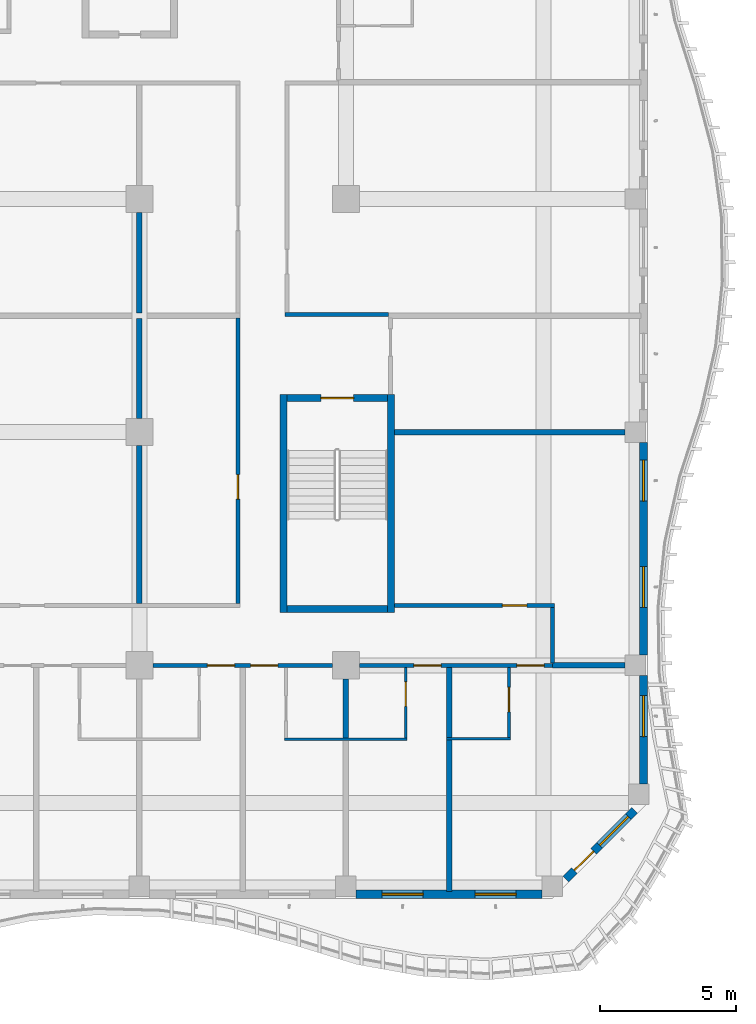
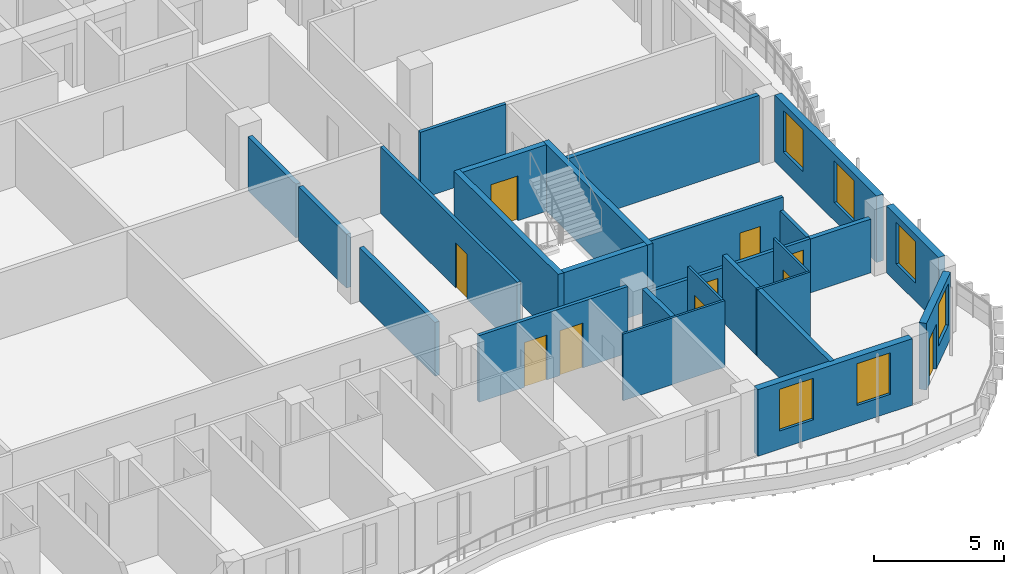
# One storey, part 5 of 22: 26 walls, 10 doors, 6 windows, 16 openings.
"""IFC4 building model written with IfcOpenShell, lengths in metres."""

import ifcopenshell
import ifcopenshell.guid

model = None  # the IFC model being written
_history = None  # IfcOwnerHistory: only IFC2X3 demands one
_inside = {}  # id of a spatial element -> (the spatial element, [elements in it])
_under = {}  # id of a project, library or spatial element -> (it, [spatial elements below it])
_declared = {}  # id of a project -> (the project, [libraries it declares])
_typed = {}  # id of a type object -> (the type object, [elements of that type])
_made_of = {}  # id of a material, layer set ... -> (it, [elements and type objects made of it])


def new_model(schema):
    """Start an empty IFC model of exactly this schema.

    Asked for "IFC4X3", IfcOpenShell would pick the latest addendum, in which some entities
    have other attributes; the version numbers below select the first issue.
    IFC2X3 requires an IfcOwnerHistory on every rooted entity: one is made here for all.
    """
    global model, _history
    if schema == "IFC4X3":
        model = ifcopenshell.file(schema_version=(4, 3, 0, 0))
    else:
        model = ifcopenshell.file(schema=schema)
    _inside.clear()
    _under.clear()
    _declared.clear()
    _typed.clear()
    _made_of.clear()
    _history = None
    if model.schema == "IFC2X3":
        org = make("IfcOrganization", Name="unknown")
        user = make(
            "IfcPersonAndOrganization",
            ThePerson=make("IfcPerson", FamilyName="unknown"),
            TheOrganization=org,
        )
        app = make(
            "IfcApplication",
            ApplicationDeveloper=org,
            Version="unknown",
            ApplicationFullName="unknown",
            ApplicationIdentifier="unknown",
        )
        _history = make(
            "IfcOwnerHistory",
            OwningUser=user,
            OwningApplication=app,
            ChangeAction="ADDED",
            CreationDate=0,
        )
    return model


def make(cls, **values):
    """One entity of the class cls with the attributes given. An attribute that is None is left unset."""
    return model.create_entity(
        cls, **{name: value for name, value in values.items() if value is not None}
    )


def rooted(cls, **values):
    """An entity with a GlobalId (a new one), such as an element, a storey or a relation."""
    return make(cls, GlobalId=ifcopenshell.guid.new(), OwnerHistory=_history, **values)


def si_unit(unit_type, name, prefix=None):
    """IfcSIUnit, for example si_unit("LENGTHUNIT", "METRE", prefix="MILLI")."""
    return make("IfcSIUnit", UnitType=unit_type, Prefix=prefix, Name=name)


def assignment(units):
    """IfcUnitAssignment: the units of a project."""
    return None if units is None else make("IfcUnitAssignment", Units=units)


def point(xyz):
    """IfcCartesianPoint."""
    return None if xyz is None else make("IfcCartesianPoint", Coordinates=xyz)


def direction(xyz):
    """IfcDirection."""
    return None if xyz is None else make("IfcDirection", DirectionRatios=xyz)


def frame(location, z_axis=None, x_axis=None):
    """IfcAxis2Placement3D, a coordinate frame: its origin and axes. An axis left out is left unset."""
    return make(
        "IfcAxis2Placement3D",
        Location=point(location),
        Axis=direction(z_axis),
        RefDirection=direction(x_axis),
    )


def frame_2d(location, x_axis=None):
    """IfcAxis2Placement2D, a coordinate frame in the plane: its origin and x axis."""
    return make(
        "IfcAxis2Placement2D", Location=point(location), RefDirection=direction(x_axis)
    )


def origin():
    """The frame at (0, 0, 0) with its axes left unset."""
    return frame((0.0, 0.0, 0.0))


def place(relative_to, where):
    """IfcLocalPlacement: puts the frame where relative to a parent placement (None: the world)."""
    return make(
        "IfcLocalPlacement", PlacementRelTo=relative_to, RelativePlacement=where
    )


def context(
    kind, dimensions, precision=None, world=None, true_north=None, identifier=None
):
    """IfcGeometricRepresentationContext, for example the 3D "Model" context."""
    return make(
        "IfcGeometricRepresentationContext",
        ContextIdentifier=identifier,
        ContextType=kind,
        CoordinateSpaceDimension=dimensions,
        Precision=precision,
        WorldCoordinateSystem=world,
        TrueNorth=true_north,
    )


def subcontext(parent, identifier, kind, view, scale=None):
    """IfcGeometricRepresentationSubContext, for example "Body" below "Model"."""
    return make(
        "IfcGeometricRepresentationSubContext",
        ContextIdentifier=identifier,
        ContextType=kind,
        ParentContext=parent,
        TargetScale=scale,
        TargetView=view,
    )


def project(units=None, contexts=None):
    """IfcProject with its units and contexts."""
    return rooted(
        "IfcProject",
        Name="project",
        RepresentationContexts=contexts,
        UnitsInContext=assignment(units),
    )


def spatial(cls, under=None, at=None, **own):
    """A site, building, storey or space (cls), placed at a placement, below another one or the project."""
    s = rooted(cls, ObjectPlacement=at, **own)
    if under is not None:
        _under.setdefault(under.id(), (under, []))[1].append(s)
    return s


def profile(cls, at=None, kind="AREA", **sizes):
    """A parametric profile (cls). Its sizes go by their IFC names, for example OverallWidth=200.0."""
    return make(cls, ProfileType=kind, Position=at, **sizes)


def rectangle(**sizes):
    """IfcRectangleProfileDef."""
    return profile("IfcRectangleProfileDef", **sizes)


def extrude(swept, where, along, depth):
    """IfcExtrudedAreaSolid: the profile swept, set in the frame where, extruded along a direction by depth."""
    return make(
        "IfcExtrudedAreaSolid",
        SweptArea=swept,
        Position=where,
        ExtrudedDirection=direction(along),
        Depth=depth,
    )


def shape(context_of_items, identifier, shape_type, items):
    """IfcShapeRepresentation: the items that make up one representation, for example the "Body"."""
    return make(
        "IfcShapeRepresentation",
        ContextOfItems=context_of_items,
        RepresentationIdentifier=identifier,
        RepresentationType=shape_type,
        Items=items,
    )


def source(mapping_origin, context_of_items, identifier, shape_type, items):
    """IfcRepresentationMap: a shape defined once, which mapped items show again and again."""
    return make(
        "IfcRepresentationMap",
        MappingOrigin=mapping_origin,
        MappedRepresentation=shape(context_of_items, identifier, shape_type, items),
    )


def transform(
    local_origin,
    x_axis=None,
    y_axis=None,
    z_axis=None,
    scale=None,
    scale2=None,
    scale3=None,
    uniform=True,
):
    """IfcCartesianTransformationOperator3D, or its non-uniform kind. x_axis, y_axis, z_axis: its Axis1, 2, 3."""
    if uniform:
        return make(
            "IfcCartesianTransformationOperator3D",
            Axis1=direction(x_axis),
            Axis2=direction(y_axis),
            LocalOrigin=point(local_origin),
            Scale=scale,
            Axis3=direction(z_axis),
        )
    return make(
        "IfcCartesianTransformationOperator3DnonUniform",
        Axis1=direction(x_axis),
        Axis2=direction(y_axis),
        LocalOrigin=point(local_origin),
        Scale=scale,
        Axis3=direction(z_axis),
        Scale2=scale2,
        Scale3=scale3,
    )


def mapped(mapping_source, mapping_target):
    """IfcMappedItem: shows the shape of a source again, moved by a transform."""
    return make(
        "IfcMappedItem", MappingSource=mapping_source, MappingTarget=mapping_target
    )


def material(Name=None, Category=None):
    """IfcMaterial."""
    return make("IfcMaterial", Name=Name, Category=Category)


def layer(
    of_material, thickness, ventilated=None, Name=None, Category=None, Priority=None
):
    """IfcMaterialLayer: one layer of a wall or slab, of a material (None: an air gap)."""
    return make(
        "IfcMaterialLayer",
        Material=of_material,
        LayerThickness=thickness,
        IsVentilated=ventilated,
        Name=Name,
        Category=Category,
        Priority=Priority,
    )


def layer_set(layers, Name=None):
    """IfcMaterialLayerSet."""
    return make("IfcMaterialLayerSet", MaterialLayers=layers, LayerSetName=Name)


def made_of(thing, what):
    """Note that an element or type object is made of a material, layer set ...; save() writes the relation."""
    if what is not None:
        _made_of.setdefault(what.id(), (what, []))[1].append(thing)
    return thing


def type_object(cls, material=None, **own):
    """A type object (cls), such as IfcWallType, which elements share."""
    return made_of(rooted(cls, **own), material)


def element(
    cls,
    number,
    at=None,
    inside=None,
    cuts=None,
    type_object=None,
    material=None,
    context=None,
    identifier="Body",
    shape_type=None,
    held_by="IfcProductDefinitionShape",
    body=None,
    shapes=None,
    **own,
):
    """One element of the class cls, such as IfcWall. Its Tag is "e" and its number.

    at: its placement. inside: the storey or other place that contains it. cuts: it is an
    opening in that element (IfcRelVoidsElement). A single representation is given by context,
    identifier, shape_type and body (its items); several are given by shapes. held_by: the class
    of the entity that holds the representations. save() writes the other relations.
    """
    e = rooted(cls, Tag="e%d" % number, ObjectPlacement=at, **own)
    if body is not None:
        shapes = [shape(context, identifier, shape_type, body)]
    if shapes is not None:
        e.Representation = make(held_by, Representations=shapes)
    if inside is not None:
        _inside.setdefault(inside.id(), (inside, []))[1].append(e)
    if cuts is not None:
        rooted(
            "IfcRelVoidsElement", RelatingBuildingElement=cuts, RelatedOpeningElement=e
        )
    if type_object is not None:
        _typed.setdefault(type_object.id(), (type_object, []))[1].append(e)
    return made_of(e, material)


def fill(opening, filler):
    """IfcRelFillsElement: the door or window that sits in an opening."""
    return rooted(
        "IfcRelFillsElement",
        RelatingOpeningElement=opening,
        RelatedBuildingElement=filler,
    )


def aggregate(whole, parts):
    """IfcRelAggregates: a whole, such as a stair, and the parts it consists of."""
    return rooted("IfcRelAggregates", RelatingObject=whole, RelatedObjects=parts)


def save(model, path):
    """Write the relations noted so far, then the file.

    IfcRelAggregates (storeys below a building ...), IfcRelContainedInSpatialStructure (elements
    in a storey), IfcRelDefinesByType, IfcRelAssociatesMaterial and IfcRelDeclares: one each for
    every whole, place, type object, material and project.
    """
    for whole, parts in _under.values():
        aggregate(whole, parts)
    for where, things in _inside.values():
        rooted(
            "IfcRelContainedInSpatialStructure",
            RelatedElements=things,
            RelatingStructure=where,
        )
    for kind, things in _typed.values():
        rooted("IfcRelDefinesByType", RelatedObjects=things, RelatingType=kind)
    for what, things in _made_of.values():
        rooted("IfcRelAssociatesMaterial", RelatedObjects=things, RelatingMaterial=what)
    for by, libraries in _declared.values():
        rooted("IfcRelDeclares", RelatingContext=by, RelatedDefinitions=libraries)
    model.write(path)


model = new_model("IFC4")

# Units and contexts
model_context = context("Model", 3, precision=1e-05, world=origin(), true_north=direction((0.0, 1.0)))
body_context = subcontext(model_context, "Body", "Model", "MODEL_VIEW")
ifc_project = project(units=[si_unit("LENGTHUNIT", "METRE"), si_unit("AREAUNIT", "SQUARE_METRE"), si_unit("VOLUMEUNIT", "CUBIC_METRE"), si_unit("PLANEANGLEUNIT", "RADIAN"), si_unit("MASSUNIT", "GRAM", prefix="KILO")], contexts=[model_context])

# Site, building, storey
site_placement = place(None, origin())
site = spatial("IfcSite", under=ifc_project, at=site_placement, CompositionType="ELEMENT")
building_placement = place(site_placement, origin())
building = spatial("IfcBuilding", under=site, at=building_placement, Name="Kilnfold Tower and Market Hall", CompositionType="ELEMENT")
storey_placement = place(building_placement, frame((0.0, 0.0, 206.699951171875)))
storey = spatial("IfcBuildingStorey", under=building, at=storey_placement, Name="L50", CompositionType="ELEMENT", Elevation=206.699951171875)

# Wall, openings, doors
ifc_material_1 = material(Name="Gypsum board on steel studs", Category="steel")
ifc_layer_1 = layer(ifc_material_1, 0.14990234375)
ifc_layer_set_1 = layer_set([ifc_layer_1], Name="Gypsum board on steel studs")
wall_type_1 = type_object("IfcWallType", Name="WALL CORRIDOR 150", PredefinedType="PARTITIONING", material=ifc_layer_set_1)
wall_1_placement = place(storey_placement, frame((13.0830078125, -17.699951171875, 0.0), z_axis=(0.0, 0.0, 1.0), x_axis=(1.0, 0.0, 0.0)))
wall_1 = element("IfcWall", 1, at=wall_1_placement, inside=storey, type_object=wall_type_1, Name="Partition LY30.5", PredefinedType="PARTITIONING", context=body_context, shape_type="SweptSolid", body=[
    extrude(rectangle(XDim=6.583984375, YDim=0.14990234375, at=frame_2d((3.2919921875, 0.0))), origin(), (0.0, 0.0, 1.0), 3.1201171875),
])
opening_1_placement = place(wall_1_placement, frame((1.99609375, 0.0, 0.0)))
opening_1 = element("IfcOpeningElement", 2, at=opening_1_placement, cuts=wall_1, Name="Opening D1", PredefinedType="OPENING", context=body_context, shape_type="SweptSolid", body=[
    extrude(rectangle(XDim=1.0, YDim=2.10009765625, at=frame_2d((0.5, 1.050048828125))), frame((0.0, 0.0849609375, 0.0), z_axis=(0.0, -1.0, 0.0), x_axis=(1.0, 0.0, 0.0)), (0.0, 0.0, 1.0), 0.169921875),
])
opening_2_placement = place(wall_1_placement, frame((3.587890625, 0.0, 0.0)))
opening_2 = element("IfcOpeningElement", 3, at=opening_2_placement, cuts=wall_1, Name="Opening D1", PredefinedType="OPENING", context=body_context, shape_type="SweptSolid", body=[
    extrude(rectangle(XDim=1.0, YDim=2.10009765625, at=frame_2d((0.5, 1.050048828125))), frame((0.0, 0.0849609375, 0.0), z_axis=(0.0, -1.0, 0.0), x_axis=(1.0, 0.0, 0.0)), (0.0, 0.0, 1.0), 0.169921875),
])
ifc_material_2 = material(Name="Timber veneer door leaf in steel frame", Category="steel")
door_type_1 = type_object("IfcDoorType", Name="DOOR ENTRY 1000 X2100", OperationType="NOTDEFINED", PredefinedType="DOOR", material=ifc_material_2)
door_1_placement = place(opening_1_placement, origin())
door_1 = element("IfcDoor", 4, at=door_1_placement, inside=storey, type_object=door_type_1, Name="Door D1", OperationType="SINGLE_SWING_RIGHT", OverallHeight=2.10009765625, OverallWidth=1.0, PredefinedType="DOOR", context=body_context, shape_type="SweptSolid", body=[
    extrude(rectangle(XDim=1.0, YDim=2.10009765625, at=frame_2d((0.5, 1.050048828125))), frame((0.0, 0.02490234375, 0.0), z_axis=(0.0, -1.0, 0.0), x_axis=(1.0, 0.0, 0.0)), (0.0, 0.0, 1.0), 0.050048828125),
])
fill(opening_1, door_1)
door_2_placement = place(opening_2_placement, origin())
door_2 = element("IfcDoor", 5, at=door_2_placement, inside=storey, type_object=door_type_1, Name="Door D1", OperationType="SINGLE_SWING_RIGHT", OverallHeight=2.10009765625, OverallWidth=1.0, PredefinedType="DOOR", context=body_context, shape_type="SweptSolid", body=[
    extrude(rectangle(XDim=1.0, YDim=2.10009765625, at=frame_2d((0.5, 1.050048828125))), frame((0.0, 0.02490234375, 0.0), z_axis=(0.0, -1.0, 0.0), x_axis=(1.0, 0.0, 0.0)), (0.0, 0.0, 1.0), 0.050048828125),
])
fill(opening_2, door_2)

wall_2_placement = place(storey_placement, frame((20.6669921875, -17.699951171875, 0.0), z_axis=(0.0, 0.0, 1.0), x_axis=(1.0, 0.0, 0.0)))
wall_2 = element("IfcWall", 6, at=wall_2_placement, inside=storey, type_object=wall_type_1, Name="Partition LY30.6", PredefinedType="PARTITIONING", context=body_context, shape_type="SweptSolid", body=[
    extrude(rectangle(XDim=7.0830078125, YDim=0.14990234375, at=frame_2d((3.54150390625, 0.0))), origin(), (0.0, 0.0, 1.0), 2.52001953125),
])
opening_3_placement = place(wall_2_placement, frame((1.99609375, 0.0, 0.0)))
opening_3 = element("IfcOpeningElement", 7, at=opening_3_placement, cuts=wall_2, Name="Opening D1", PredefinedType="OPENING", context=body_context, shape_type="SweptSolid", body=[
    extrude(rectangle(XDim=1.0, YDim=2.10009765625, at=frame_2d((0.5, 1.050048828125))), frame((0.0, 0.0849609375, 0.0), z_axis=(0.0, -1.0, 0.0), x_axis=(1.0, 0.0, 0.0)), (0.0, 0.0, 1.0), 0.169921875),
])
opening_4_placement = place(wall_2_placement, frame((5.781982421875, 0.0, 0.0)))
opening_4 = element("IfcOpeningElement", 8, at=opening_4_placement, cuts=wall_2, Name="Opening D1", PredefinedType="OPENING", context=body_context, shape_type="SweptSolid", body=[
    extrude(rectangle(XDim=1.0, YDim=2.10009765625, at=frame_2d((0.5, 1.050048828125))), frame((0.0, 0.0849609375, 0.0), z_axis=(0.0, -1.0, 0.0), x_axis=(1.0, 0.0, 0.0)), (0.0, 0.0, 1.0), 0.169921875),
])
door_3_placement = place(opening_3_placement, origin())
door_3 = element("IfcDoor", 9, at=door_3_placement, inside=storey, type_object=door_type_1, Name="Door D1", OperationType="SINGLE_SWING_RIGHT", OverallHeight=2.10009765625, OverallWidth=1.0, PredefinedType="DOOR", context=body_context, shape_type="SweptSolid", body=[
    extrude(rectangle(XDim=1.0, YDim=2.10009765625, at=frame_2d((0.5, 1.050048828125))), frame((0.0, 0.02490234375, 0.0), z_axis=(0.0, -1.0, 0.0), x_axis=(1.0, 0.0, 0.0)), (0.0, 0.0, 1.0), 0.050048828125),
])
fill(opening_3, door_3)
door_4_placement = place(opening_4_placement, origin())
door_4 = element("IfcDoor", 10, at=door_4_placement, inside=storey, type_object=door_type_1, Name="Door D1", OperationType="SINGLE_SWING_RIGHT", OverallHeight=2.10009765625, OverallWidth=1.0, PredefinedType="DOOR", context=body_context, shape_type="SweptSolid", body=[
    extrude(rectangle(XDim=1.0, YDim=2.10009765625, at=frame_2d((0.5, 1.050048828125))), frame((0.0, 0.02490234375, 0.0), z_axis=(0.0, -1.0, 0.0), x_axis=(1.0, 0.0, 0.0)), (0.0, 0.0, 1.0), 0.050048828125),
])
fill(opening_4, door_4)

# Wall
wall_3_placement = place(storey_placement, frame((17.925048828125, -4.800048828125, 0.0), z_axis=(0.0, 0.0, 1.0), x_axis=(1.0, 0.0, 0.0)))
element("IfcWall", 11, at=wall_3_placement, inside=storey, type_object=wall_type_1, Name="Partition LY30.27", PredefinedType="PARTITIONING", context=body_context, shape_type="SweptSolid", body=[
    extrude(rectangle(XDim=3.802001953125, YDim=0.14990234375, at=frame_2d((1.90087890625, 0.0))), origin(), (0.0, 0.0, 1.0), 3.1201171875),
])

# Wall, opening, door
wall_4_placement = place(storey_placement, frame((21.949951171875, -15.5, 0.0), z_axis=(0.0, 0.0, 1.0), x_axis=(1.0, 0.0, 0.0)))
wall_4 = element("IfcWall", 12, at=wall_4_placement, inside=storey, type_object=wall_type_1, Name="Partition LY30.29", PredefinedType="PARTITIONING", context=body_context, shape_type="SweptSolid", body=[
    extrude(rectangle(XDim=5.875, YDim=0.14990234375, at=frame_2d((2.9375, 0.0))), origin(), (0.0, 0.0, 1.0), 3.1201171875),
])
opening_5_placement = place(wall_4_placement, frame((3.9619140625, 0.0, 0.0)))
opening_5 = element("IfcOpeningElement", 13, at=opening_5_placement, cuts=wall_4, Name="Opening D2", PredefinedType="OPENING", context=body_context, shape_type="SweptSolid", body=[
    extrude(rectangle(XDim=0.89990234375, YDim=2.10009765625, at=frame_2d((0.449951171875, 1.050048828125))), frame((0.0, 0.0849609375, 0.0), z_axis=(0.0, -1.0, 0.0), x_axis=(1.0, 0.0, 0.0)), (0.0, 0.0, 1.0), 0.169921875),
])
ifc_material_3 = material(Name="Timber veneer door leaf in steel frame", Category="steel")
door_type_2 = type_object("IfcDoorType", Name="DOOR ROOM 900 X2100", OperationType="NOTDEFINED", PredefinedType="DOOR", material=ifc_material_3)
door_5_placement = place(opening_5_placement, origin())
door_5 = element("IfcDoor", 14, at=door_5_placement, inside=storey, type_object=door_type_2, Name="Door D2", OperationType="SINGLE_SWING_LEFT", OverallHeight=2.10009765625, OverallWidth=0.89990234375, PredefinedType="DOOR", context=body_context, shape_type="SweptSolid", body=[
    extrude(rectangle(XDim=0.89990234375, YDim=2.10009765625, at=frame_2d((0.449951171875, 1.050048828125))), frame((0.0, 0.02490234375, 0.0), z_axis=(0.0, -1.0, 0.0), x_axis=(1.0, 0.0, 0.0)), (0.0, 0.0, 1.0), 0.050048828125),
])
fill(opening_5, door_5)

# Wall
wall_5_placement = place(storey_placement, frame((27.75, -17.597900390625, 0.0), z_axis=(0.0, 0.0, 1.0), x_axis=(0.0, 1.0, 0.0)))
element("IfcWall", 15, at=wall_5_placement, inside=storey, type_object=wall_type_1, Name="Partition LY30.30", PredefinedType="PARTITIONING", context=body_context, shape_type="SweptSolid", body=[
    extrude(rectangle(XDim=2.02294921875, YDim=0.14990234375, at=frame_2d((1.011474609375, 0.0))), origin(), (0.0, 0.0, 1.0), 2.52001953125),
])

# Wall, opening, door
wall_6_placement = place(storey_placement, frame((16.199951171875, -15.425048828125, 0.0), z_axis=(0.0, 0.0, 1.0), x_axis=(0.0, 1.0, 0.0)))
wall_6 = element("IfcWall", 16, at=wall_6_placement, inside=storey, type_object=wall_type_1, Name="Partition LY30.41", PredefinedType="PARTITIONING", context=body_context, shape_type="SweptSolid", body=[
    extrude(rectangle(XDim=10.491943359375, YDim=0.14990234375, at=frame_2d((5.24609375, 0.0))), origin(), (0.0, 0.0, 1.0), 3.1201171875),
])
opening_6_placement = place(wall_6_placement, frame((3.8359375, 0.0, 0.0)))
opening_6 = element("IfcOpeningElement", 17, at=opening_6_placement, cuts=wall_6, Name="Opening D2", PredefinedType="OPENING", context=body_context, shape_type="SweptSolid", body=[
    extrude(rectangle(XDim=0.89990234375, YDim=2.10009765625, at=frame_2d((0.449951171875, 1.050048828125))), frame((0.0, 0.0849609375, 0.0), z_axis=(0.0, -1.0, 0.0), x_axis=(1.0, 0.0, 0.0)), (0.0, 0.0, 1.0), 0.169921875),
])
door_6_placement = place(opening_6_placement, origin())
door_6 = element("IfcDoor", 18, at=door_6_placement, inside=storey, type_object=door_type_2, Name="Door D2", OperationType="SINGLE_SWING_RIGHT", OverallHeight=2.10009765625, OverallWidth=0.89990234375, PredefinedType="DOOR", context=body_context, shape_type="SweptSolid", body=[
    extrude(rectangle(XDim=0.89990234375, YDim=2.10009765625, at=frame_2d((0.449951171875, 1.050048828125))), frame((0.0, 0.02490234375, 0.0), z_axis=(0.0, -1.0, 0.0), x_axis=(1.0, 0.0, 0.0)), (0.0, 0.0, 1.0), 0.050048828125),
])
fill(opening_6, door_6)

# Wall
ifc_material_4 = material(Name="Gypsum board on steel studs", Category="steel")
ifc_layer_2 = layer(ifc_material_4, 0.10009765625)
ifc_layer_set_2 = layer_set([ifc_layer_2], Name="Gypsum board on steel studs")
wall_type_2 = type_object("IfcWallType", Name="WALL PARTITION 100", PredefinedType="PARTITIONING", material=ifc_layer_set_2)
wall_7_placement = place(storey_placement, frame((17.9169921875, -20.402099609375, 0.0), z_axis=(0.0, 0.0, 1.0), x_axis=(1.0, 0.0, 0.0)))
element("IfcWall", 19, at=wall_7_placement, inside=storey, type_object=wall_type_2, Name="Partition LY30.72", PredefinedType="PARTITIONING", context=body_context, shape_type="SweptSolid", body=[
    extrude(rectangle(XDim=4.5, YDim=0.10009765625, at=frame_2d((2.25, 0.0))), origin(), (0.0, 0.0, 1.0), 3.1201171875),
])

# Wall, opening, door
wall_8_placement = place(storey_placement, frame((22.366943359375, -17.777099609375, 0.0), z_axis=(0.0, 0.0, 1.0), x_axis=(0.0, -1.0, 0.0)))
wall_8 = element("IfcWall", 20, at=wall_8_placement, inside=storey, type_object=wall_type_2, Name="Partition LY30.75", PredefinedType="PARTITIONING", context=body_context, shape_type="SweptSolid", body=[
    extrude(rectangle(XDim=2.574951171875, YDim=0.10009765625, at=frame_2d((1.28759765625, 0.0))), origin(), (0.0, 0.0, 1.0), 3.1201171875),
])
opening_7_placement = place(wall_8_placement, frame((0.51904296875, 0.0, 0.0)))
opening_7 = element("IfcOpeningElement", 21, at=opening_7_placement, cuts=wall_8, Name="Opening D3", PredefinedType="OPENING", context=body_context, shape_type="SweptSolid", body=[
    extrude(rectangle(XDim=0.89990234375, YDim=2.10009765625, at=frame_2d((0.449951171875, 1.050048828125))), frame((0.0, 0.06005859375, 0.0), z_axis=(0.0, -1.0, 0.0), x_axis=(1.0, 0.0, 0.0)), (0.0, 0.0, 1.0), 0.1201171875),
])
ifc_material_5 = material(Name="Timber veneer door leaf in steel frame", Category="steel")
door_type_3 = type_object("IfcDoorType", Name="DOOR WC 900 X2100", OperationType="NOTDEFINED", PredefinedType="DOOR", material=ifc_material_5)
door_7_placement = place(opening_7_placement, origin())
door_7 = element("IfcDoor", 22, at=door_7_placement, inside=storey, type_object=door_type_3, Name="Door D3", OperationType="SINGLE_SWING_RIGHT", OverallHeight=2.10009765625, OverallWidth=0.89990234375, PredefinedType="DOOR", context=body_context, shape_type="SweptSolid", body=[
    extrude(rectangle(XDim=0.89990234375, YDim=2.10009765625, at=frame_2d((0.449951171875, 1.050048828125))), frame((0.0, 0.02490234375, 0.0), z_axis=(0.0, -1.0, 0.0), x_axis=(1.0, 0.0, 0.0)), (0.0, 0.0, 1.0), 0.050048828125),
])
fill(opening_7, door_7)

# Wall
wall_9_placement = place(storey_placement, frame((23.85888671875, -20.387939453125, 0.0), z_axis=(0.0, 0.0, 1.0), x_axis=(1.0, 0.0, 0.0)))
element("IfcWall", 23, at=wall_9_placement, inside=storey, type_object=wall_type_2, Name="Partition LY30.78", PredefinedType="PARTITIONING", context=body_context, shape_type="SweptSolid", body=[
    extrude(rectangle(XDim=2.35009765625, YDim=0.10009765625, at=frame_2d((1.175048828125, 0.0))), origin(), (0.0, 0.0, 1.0), 3.1201171875),
])

# Wall, opening, door
wall_10_placement = place(storey_placement, frame((26.158935546875, -17.777099609375, 0.0), z_axis=(0.0, 0.0, 1.0), x_axis=(0.0, -1.0, 0.0)))
wall_10 = element("IfcWall", 24, at=wall_10_placement, inside=storey, type_object=wall_type_2, Name="Partition LY30.79", PredefinedType="PARTITIONING", context=body_context, shape_type="SweptSolid", body=[
    extrude(rectangle(XDim=2.560791015625, YDim=0.10009765625, at=frame_2d((1.2802734375, 0.0))), origin(), (0.0, 0.0, 1.0), 3.1201171875),
])
opening_8_placement = place(wall_10_placement, frame((0.72509765625, 0.0, 0.0)))
opening_8 = element("IfcOpeningElement", 25, at=opening_8_placement, cuts=wall_10, Name="Opening D3", PredefinedType="OPENING", context=body_context, shape_type="SweptSolid", body=[
    extrude(rectangle(XDim=0.89990234375, YDim=2.10009765625, at=frame_2d((0.449951171875, 1.050048828125))), frame((0.0, 0.06005859375, 0.0), z_axis=(0.0, -1.0, 0.0), x_axis=(1.0, 0.0, 0.0)), (0.0, 0.0, 1.0), 0.1201171875),
])
door_8_placement = place(opening_8_placement, origin())
door_8 = element("IfcDoor", 26, at=door_8_placement, inside=storey, type_object=door_type_3, Name="Door D3", OperationType="SINGLE_SWING_RIGHT", OverallHeight=2.10009765625, OverallWidth=0.89990234375, PredefinedType="DOOR", context=body_context, shape_type="SweptSolid", body=[
    extrude(rectangle(XDim=0.89990234375, YDim=2.10009765625, at=frame_2d((0.449951171875, 1.050048828125))), frame((0.0, 0.02490234375, 0.0), z_axis=(0.0, -1.0, 0.0), x_axis=(1.0, 0.0, 0.0)), (0.0, 0.0, 1.0), 0.050048828125),
])
fill(opening_8, door_8)

# Walls
ifc_material_6 = material(Name="Gypsum board on steel studs", Category="steel")
ifc_layer_3 = layer(ifc_material_6, 0.199951171875)
ifc_layer_set_3 = layer_set([ifc_layer_3], Name="Gypsum board on steel studs")
wall_type_3 = type_object("IfcWallType", Name="WALL PARTY 200", PredefinedType="PARTITIONING", material=ifc_layer_set_3)
wall_11_placement = place(storey_placement, frame((20.1669921875, -20.35205078125, 0.0), z_axis=(0.0, 0.0, 1.0), x_axis=(0.0, 1.0, 0.0)))
element("IfcWall", 27, at=wall_11_placement, inside=storey, type_object=wall_type_3, Name="Partition LY30.74", PredefinedType="PARTITIONING", context=body_context, shape_type="SweptSolid", body=[
    extrude(rectangle(XDim=2.1640625, YDim=0.199951171875, at=frame_2d((1.08203125, 0.0))), origin(), (0.0, 0.0, 1.0), 3.1201171875),
])
wall_12_placement = place(storey_placement, frame((23.958984375, -26.0, 0.0), z_axis=(0.0, 0.0, 1.0), x_axis=(0.0, 1.0, 0.0)))
element("IfcWall", 28, at=wall_12_placement, inside=storey, type_object=wall_type_3, Name="Partition LY30.76", PredefinedType="PARTITIONING", context=body_context, shape_type="SweptSolid", body=[
    extrude(rectangle(XDim=5.572021484375, YDim=0.199951171875, at=frame_2d((2.7861328125, 0.0))), origin(), (0.0, 0.0, 1.0), 3.1201171875),
])
wall_13_placement = place(storey_placement, frame((23.958984375, -20.347900390625, 0.0), z_axis=(0.0, 0.0, 1.0), x_axis=(0.0, 1.0, 0.0)))
element("IfcWall", 29, at=wall_13_placement, inside=storey, type_object=wall_type_3, Name="Partition LY30.77", PredefinedType="PARTITIONING", context=body_context, shape_type="SweptSolid", body=[
    extrude(rectangle(XDim=2.57080078125, YDim=0.199951171875, at=frame_2d((1.285400390625, 0.0))), origin(), (0.0, 0.0, 1.0), 3.1201171875),
])
wall_14_placement = place(storey_placement, frame((27.751953125, -17.68798828125, 0.0), z_axis=(0.0, 0.0, 1.0), x_axis=(1.0, 0.0, 0.0)))
element("IfcWall", 30, at=wall_14_placement, inside=storey, type_object=wall_type_3, Name="Partition LY30.80", PredefinedType="PARTITIONING", context=body_context, shape_type="SweptSolid", body=[
    extrude(rectangle(XDim=2.673095703125, YDim=0.199951171875, at=frame_2d((1.33642578125, 0.0))), origin(), (0.0, 0.0, 1.0), 2.52001953125),
])
wall_15_placement = place(storey_placement, frame((21.949951171875, -9.125, 0.0), z_axis=(0.0, 0.0, 1.0), x_axis=(1.0, 0.0, 0.0)))
element("IfcWall", 31, at=wall_15_placement, inside=storey, type_object=wall_type_3, Name="Partition LY30.98", PredefinedType="PARTITIONING", context=body_context, shape_type="SweptSolid", body=[
    extrude(rectangle(XDim=8.47509765625, YDim=0.199951171875, at=frame_2d((4.237548828125, 0.0))), origin(), (0.0, 0.0, 1.0), 3.1201171875),
])
wall_16_placement = place(storey_placement, frame((12.5830078125, -4.742919921875, 0.0), z_axis=(0.0, 0.0, 1.0), x_axis=(0.0, 1.0, 0.0)))
element("IfcWall", 32, at=wall_16_placement, inside=storey, type_object=wall_type_3, Name="Partition LY30.116", PredefinedType="PARTITIONING", context=body_context, shape_type="SweptSolid", body=[
    extrude(rectangle(XDim=3.680908203125, YDim=0.199951171875, at=frame_2d((1.84033203125, 0.0))), origin(), (0.0, 0.0, 1.0), 2.52001953125),
])
wall_17_placement = place(storey_placement, frame((12.5830078125, -8.625, 0.0), z_axis=(0.0, 0.0, 1.0), x_axis=(0.0, 1.0, 0.0)))
element("IfcWall", 33, at=wall_17_placement, inside=storey, type_object=wall_type_3, Name="Partition LY30.119", PredefinedType="PARTITIONING", context=body_context, shape_type="SweptSolid", body=[
    extrude(rectangle(XDim=3.681884765625, YDim=0.199951171875, at=frame_2d((1.8408203125, 0.0))), origin(), (0.0, 0.0, 1.0), 2.52001953125),
])
wall_18_placement = place(storey_placement, frame((12.5830078125, -15.423095703125, 0.0), z_axis=(0.0, 0.0, 1.0), x_axis=(0.0, 1.0, 0.0)))
element("IfcWall", 34, at=wall_18_placement, inside=storey, type_object=wall_type_3, Name="Partition LY30.120", PredefinedType="PARTITIONING", context=body_context, shape_type="SweptSolid", body=[
    extrude(rectangle(XDim=5.798095703125, YDim=0.199951171875, at=frame_2d((2.89892578125, 0.0))), origin(), (0.0, 0.0, 1.0), 2.52001953125),
])
ifc_material_7 = material(Name="Concrete C60", Category="concrete")
ifc_layer_4 = layer(ifc_material_7, 0.25)
ifc_layer_set_4 = layer_set([ifc_layer_4], Name="Concrete C60")
wall_type_4 = type_object("IfcWallType", Name="CORE WALL 250 C60", PredefinedType="SHEAR", material=ifc_layer_set_4)
shared_shape_1 = source(origin(), body_context, "Body", "SweptSolid", [
    extrude(rectangle(XDim=3.699951171875, YDim=0.25, at=frame_2d((1.85009765625, 0.0))), origin(), (0.0, 0.0, 1.0), 3.1201171875),
])
wall_19_placement = place(storey_placement, frame((18.0, -15.625, 0.0), z_axis=(0.0, 0.0, 1.0), x_axis=(1.0, 0.0, 0.0)))
element("IfcWall", 35, at=wall_19_placement, inside=storey, type_object=wall_type_4, Name="Stair enclosure ST4", PredefinedType="SHEAR", context=body_context, shape_type="MappedRepresentation", body=[
    mapped(shared_shape_1, transform((0.0, 0.0, 0.0))),
])

# Wall, opening, door
wall_20_placement = place(storey_placement, frame((18.0, -7.875, 0.0), z_axis=(0.0, 0.0, 1.0), x_axis=(1.0, 0.0, 0.0)))
wall_20 = element("IfcWall", 36, at=wall_20_placement, inside=storey, type_object=wall_type_4, Name="Stair enclosure ST4", PredefinedType="SHEAR", context=body_context, shape_type="MappedRepresentation", body=[
    mapped(shared_shape_1, transform((0.0, 0.0, 0.0))),
])
opening_9_placement = place(wall_20_placement, frame((1.25, 0.0, 0.0)))
opening_9 = element("IfcOpeningElement", 37, at=opening_9_placement, cuts=wall_20, Name="Opening SD1", PredefinedType="OPENING", context=body_context, shape_type="SweptSolid", body=[
    extrude(rectangle(XDim=1.199951171875, YDim=2.10009765625, at=frame_2d((0.60009765625, 1.050048828125))), frame((0.0, 0.135009765625, 0.0), z_axis=(0.0, -1.0, 0.0), x_axis=(1.0, 0.0, 0.0)), (0.0, 0.0, 1.0), 0.27001953125),
])
ifc_material_8 = material(Name="Steel door set with fire-resisting leaf", Category="steel")
door_type_4 = type_object("IfcDoorType", Name="STAIR FLOOR DOOR 1200X2100", OperationType="NOTDEFINED", PredefinedType="DOOR", material=ifc_material_8)
door_9_placement = place(opening_9_placement, origin())
door_9 = element("IfcDoor", 38, at=door_9_placement, inside=storey, type_object=door_type_4, Name="Exit stair ST4 door", OperationType="DOUBLE_DOOR_SINGLE_SWING", OverallHeight=2.10009765625, OverallWidth=1.199951171875, PredefinedType="DOOR", context=body_context, shape_type="SweptSolid", body=[
    extrude(rectangle(XDim=1.199951171875, YDim=2.10009765625, at=frame_2d((0.60009765625, 1.050048828125))), frame((0.0, 0.02490234375, 0.0), z_axis=(0.0, -1.0, 0.0), x_axis=(1.0, 0.0, 0.0)), (0.0, 0.0, 1.0), 0.050048828125),
])
fill(opening_9, door_9)

# Walls
shared_shape_2 = source(origin(), body_context, "Body", "SweptSolid", [
    extrude(rectangle(XDim=8.0, YDim=0.25, at=frame_2d((4.0, 0.0))), origin(), (0.0, 0.0, 1.0), 3.1201171875),
])
for number, where, z_axis, x_axis, name in (
    (39, (17.875, -15.75, 0.0), (0.0, 0.0, 1.0), (0.0, 1.0, 0.0), "Stair enclosure ST4"),
    (40, (21.824951171875, -15.75, 0.0), (0.0, 0.0, 1.0), (0.0, 1.0, 0.0), "Stair enclosure ST4"),
):
    element("IfcWall", number, at=place(storey_placement, frame(where, z_axis=z_axis, x_axis=x_axis)), inside=storey, type_object=wall_type_4, Name=name, PredefinedType="SHEAR", context=body_context, shape_type="MappedRepresentation", body=[
        mapped(shared_shape_2, transform((0.0, 0.0, 0.0))),
    ])

# Wall, openings, windows
ifc_material_9 = material(Name="Precast concrete C50/60", Category="concrete")
ifc_layer_5 = layer(ifc_material_9, 0.300048828125)
ifc_layer_set_5 = layer_set([ifc_layer_5], Name="Precast concrete C50/60")
wall_type_5 = type_object("IfcWallType", Name="PRECAST WALL 300", PredefinedType="SOLIDWALL", material=ifc_layer_set_5)
shared_shape_3 = source(origin(), body_context, "Body", "SweptSolid", [
    extrude(rectangle(XDim=6.833251953125, YDim=0.300048828125, at=frame_2d((3.41650390625, 0.0))), origin(), (0.0, 0.0, 1.0), 3.1201171875),
])
wall_21_placement = place(storey_placement, frame((20.541748046875, -26.10009765625, 0.0), z_axis=(0.0, 0.0, 1.0), x_axis=(1.0, 0.0, 0.0)))
wall_21 = element("IfcWall", 41, at=wall_21_placement, inside=storey, type_object=wall_type_5, Name="External wall L50 S", PredefinedType="SOLIDWALL", context=body_context, shape_type="MappedRepresentation", body=[
    mapped(shared_shape_3, transform((0.0, 0.0, 0.0))),
])
opening_10_placement = place(wall_21_placement, frame((0.958251953125, 0.0, 0.85009765625)))
opening_10 = element("IfcOpeningElement", 42, at=opening_10_placement, cuts=wall_21, Name="Opening W4", PredefinedType="OPENING", context=body_context, shape_type="SweptSolid", body=[
    extrude(rectangle(XDim=1.5, YDim=1.949951171875, at=frame_2d((0.75, 0.97509765625))), frame((0.0, 0.16015625, 0.0), z_axis=(0.0, -1.0, 0.0), x_axis=(1.0, 0.0, 0.0)), (0.0, 0.0, 1.0), 0.320068359375),
])
opening_11_placement = place(wall_21_placement, frame((4.375, 0.0, 0.85009765625)))
opening_11 = element("IfcOpeningElement", 43, at=opening_11_placement, cuts=wall_21, Name="Opening W4", PredefinedType="OPENING", context=body_context, shape_type="SweptSolid", body=[
    extrude(rectangle(XDim=1.5, YDim=1.949951171875, at=frame_2d((0.75, 0.97509765625))), frame((0.0, 0.16015625, 0.0), z_axis=(0.0, -1.0, 0.0), x_axis=(1.0, 0.0, 0.0)), (0.0, 0.0, 1.0), 0.320068359375),
])
ifc_material_10 = material(Name="Aluminium frame and double glazing", Category="aluminium")
window_type = type_object("IfcWindowType", Name="WINDOW W4 1500X1950", PartitioningType="SINGLE_PANEL", PredefinedType="WINDOW", material=ifc_material_10)
window_1_placement = place(opening_10_placement, origin())
window_1 = element("IfcWindow", 44, at=window_1_placement, inside=storey, type_object=window_type, Name="Window W4 L50 S-1", OverallHeight=1.949951171875, OverallWidth=1.5, PartitioningType="SINGLE_PANEL", PredefinedType="WINDOW", context=body_context, shape_type="SweptSolid", body=[
    extrude(rectangle(XDim=1.5, YDim=1.949951171875, at=frame_2d((0.75, 0.97509765625))), frame((0.0, 0.030029296875, 0.0), z_axis=(0.0, -1.0, 0.0), x_axis=(1.0, 0.0, 0.0)), (0.0, 0.0, 1.0), 0.06005859375),
])
fill(opening_10, window_1)
window_2_placement = place(opening_11_placement, origin())
window_2 = element("IfcWindow", 45, at=window_2_placement, inside=storey, type_object=window_type, Name="Window W4 L50 S-2", OverallHeight=1.949951171875, OverallWidth=1.5, PartitioningType="SINGLE_PANEL", PredefinedType="WINDOW", context=body_context, shape_type="SweptSolid", body=[
    extrude(rectangle(XDim=1.5, YDim=1.949951171875, at=frame_2d((0.75, 0.97509765625))), frame((0.0, 0.030029296875, 0.0), z_axis=(0.0, -1.0, 0.0), x_axis=(1.0, 0.0, 0.0)), (0.0, 0.0, 1.0), 0.06005859375),
])
fill(opening_11, window_2)

# Wall, openings, door, window
shared_shape_4 = source(origin(), body_context, "Body", "SweptSolid", [
    extrude(rectangle(XDim=3.571044921875, YDim=0.300048828125, at=frame_2d((1.78564453125, 0.0))), origin(), (0.0, 0.0, 1.0), 3.1201171875),
])
wall_22_placement = place(storey_placement, frame((28.243896484375, -25.5439453125, 0.0), z_axis=(0.0, 0.0, 1.0), x_axis=(0.707072595841, 0.707140964879, 0.0)))
wall_22 = element("IfcWall", 46, at=wall_22_placement, inside=storey, type_object=wall_type_5, Name="External wall L50 SE", PredefinedType="SOLIDWALL", context=body_context, shape_type="MappedRepresentation", body=[
    mapped(shared_shape_4, transform((0.0, 0.0, 0.0))),
])
opening_12_placement = place(wall_22_placement, frame((1.75, 0.0, 0.85009765625)))
opening_12 = element("IfcOpeningElement", 47, at=opening_12_placement, cuts=wall_22, Name="Opening W4", PredefinedType="OPENING", context=body_context, shape_type="SweptSolid", body=[
    extrude(rectangle(XDim=1.5, YDim=1.949951171875, at=frame_2d((0.75, 0.97509765625))), frame((0.0, 0.16015625, 0.0), z_axis=(0.0, -1.0, 0.0), x_axis=(1.0, 0.0, 0.0)), (0.0, 0.0, 1.0), 0.320068359375),
])
opening_13_placement = place(wall_22_placement, frame((0.449951171875, 0.0, 0.0)))
opening_13 = element("IfcOpeningElement", 48, at=opening_13_placement, cuts=wall_22, Name="Opening BD1", PredefinedType="OPENING", context=body_context, shape_type="SweptSolid", body=[
    extrude(rectangle(XDim=1.0, YDim=2.10009765625, at=frame_2d((0.5, 1.050048828125))), frame((0.0, 0.16015625, 0.0), z_axis=(0.0, -1.0, 0.0), x_axis=(1.0, 0.0, 0.0)), (0.0, 0.0, 1.0), 0.320068359375),
])
ifc_material_11 = material(Name="Aluminium frame and double glazing", Category="aluminium")
door_type_5 = type_object("IfcDoorType", Name="BALCONY DOOR 1000X2100", OperationType="NOTDEFINED", PredefinedType="DOOR", material=ifc_material_11)
door_10_placement = place(opening_13_placement, origin())
door_10 = element("IfcDoor", 49, at=door_10_placement, inside=storey, type_object=door_type_5, Name="Balcony door BD1 L50 SE-1", OperationType="SINGLE_SWING_LEFT", OverallHeight=2.10009765625, OverallWidth=1.0, PredefinedType="DOOR", context=body_context, shape_type="SweptSolid", body=[
    extrude(rectangle(XDim=1.0, YDim=2.10009765625, at=frame_2d((0.5, 1.050048828125))), frame((0.0, 0.02490234375, 0.0), z_axis=(0.0, -1.0, 0.0), x_axis=(1.0, 0.0, 0.0)), (0.0, 0.0, 1.0), 0.050048828125),
])
fill(opening_13, door_10)
window_3_placement = place(opening_12_placement, origin())
window_3 = element("IfcWindow", 50, at=window_3_placement, inside=storey, type_object=window_type, Name="Window W4 L50 SE-1", OverallHeight=1.949951171875, OverallWidth=1.5, PartitioningType="SINGLE_PANEL", PredefinedType="WINDOW", context=body_context, shape_type="SweptSolid", body=[
    extrude(rectangle(XDim=1.5, YDim=1.949951171875, at=frame_2d((0.75, 0.97509765625))), frame((0.0, 0.030029296875, 0.0), z_axis=(0.0, -1.0, 0.0), x_axis=(1.0, 0.0, 0.0)), (0.0, 0.0, 1.0), 0.06005859375),
])
fill(opening_12, window_3)

# Wall, opening, window
shared_shape_5 = source(origin(), body_context, "Body", "SweptSolid", [
    extrude(rectangle(XDim=3.994384765625, YDim=0.300048828125, at=frame_2d((1.9970703125, 0.0))), origin(), (0.0, 0.0, 1.0), 3.1201171875),
])
wall_23_placement = place(storey_placement, frame((31.10009765625, -22.056884765625, 0.0), z_axis=(0.0, 0.0, 1.0), x_axis=(0.0, 1.0, 0.0)))
wall_23 = element("IfcWall", 51, at=wall_23_placement, inside=storey, type_object=wall_type_5, Name="External wall L50 E", PredefinedType="SOLIDWALL", context=body_context, shape_type="MappedRepresentation", body=[
    mapped(shared_shape_5, transform((0.0, 0.0, 0.0))),
])
opening_14_placement = place(wall_23_placement, frame((1.75, 0.0, 0.85009765625)))
opening_14 = element("IfcOpeningElement", 52, at=opening_14_placement, cuts=wall_23, Name="Opening W4", PredefinedType="OPENING", context=body_context, shape_type="SweptSolid", body=[
    extrude(rectangle(XDim=1.5, YDim=1.949951171875, at=frame_2d((0.75, 0.97509765625))), frame((0.0, 0.16015625, 0.0), z_axis=(0.0, -1.0, 0.0), x_axis=(1.0, 0.0, 0.0)), (0.0, 0.0, 1.0), 0.320068359375),
])
window_4_placement = place(opening_14_placement, origin())
window_4 = element("IfcWindow", 53, at=window_4_placement, inside=storey, type_object=window_type, Name="Window W4 L50 E-1", OverallHeight=1.949951171875, OverallWidth=1.5, PartitioningType="SINGLE_PANEL", PredefinedType="WINDOW", context=body_context, shape_type="SweptSolid", body=[
    extrude(rectangle(XDim=1.5, YDim=1.949951171875, at=frame_2d((0.75, 0.97509765625))), frame((0.0, 0.030029296875, 0.0), z_axis=(0.0, -1.0, 0.0), x_axis=(1.0, 0.0, 0.0)), (0.0, 0.0, 1.0), 0.06005859375),
])
fill(opening_14, window_4)

# Wall, openings, windows
shared_shape_6 = source(origin(), body_context, "Body", "SweptSolid", [
    extrude(rectangle(XDim=7.8125, YDim=0.300048828125, at=frame_2d((3.90625, 0.0))), origin(), (0.0, 0.0, 1.0), 3.1201171875),
])
wall_24_placement = place(storey_placement, frame((31.10009765625, -17.3125, 0.0), z_axis=(0.0, 0.0, 1.0), x_axis=(0.0, 1.0, 0.0)))
wall_24 = element("IfcWall", 54, at=wall_24_placement, inside=storey, type_object=wall_type_5, Name="External wall L50 E", PredefinedType="SOLIDWALL", context=body_context, shape_type="MappedRepresentation", body=[
    mapped(shared_shape_6, transform((0.0, 0.0, 0.0))),
])
opening_15_placement = place(wall_24_placement, frame((1.75, 0.0, 0.85009765625)))
opening_15 = element("IfcOpeningElement", 55, at=opening_15_placement, cuts=wall_24, Name="Opening W4", PredefinedType="OPENING", context=body_context, shape_type="SweptSolid", body=[
    extrude(rectangle(XDim=1.5, YDim=1.949951171875, at=frame_2d((0.75, 0.97509765625))), frame((0.0, 0.16015625, 0.0), z_axis=(0.0, -1.0, 0.0), x_axis=(1.0, 0.0, 0.0)), (0.0, 0.0, 1.0), 0.320068359375),
])
opening_16_placement = place(wall_24_placement, frame((5.65625, 0.0, 0.85009765625)))
opening_16 = element("IfcOpeningElement", 56, at=opening_16_placement, cuts=wall_24, Name="Opening W4", PredefinedType="OPENING", context=body_context, shape_type="SweptSolid", body=[
    extrude(rectangle(XDim=1.5, YDim=1.949951171875, at=frame_2d((0.75, 0.97509765625))), frame((0.0, 0.16015625, 0.0), z_axis=(0.0, -1.0, 0.0), x_axis=(1.0, 0.0, 0.0)), (0.0, 0.0, 1.0), 0.320068359375),
])
window_5_placement = place(opening_15_placement, origin())
window_5 = element("IfcWindow", 57, at=window_5_placement, inside=storey, type_object=window_type, Name="Window W4 L50 E-1", OverallHeight=1.949951171875, OverallWidth=1.5, PartitioningType="SINGLE_PANEL", PredefinedType="WINDOW", context=body_context, shape_type="SweptSolid", body=[
    extrude(rectangle(XDim=1.5, YDim=1.949951171875, at=frame_2d((0.75, 0.97509765625))), frame((0.0, 0.030029296875, 0.0), z_axis=(0.0, -1.0, 0.0), x_axis=(1.0, 0.0, 0.0)), (0.0, 0.0, 1.0), 0.06005859375),
])
fill(opening_15, window_5)
window_6_placement = place(opening_16_placement, origin())
window_6 = element("IfcWindow", 58, at=window_6_placement, inside=storey, type_object=window_type, Name="Window W4 L50 E-2", OverallHeight=1.949951171875, OverallWidth=1.5, PartitioningType="SINGLE_PANEL", PredefinedType="WINDOW", context=body_context, shape_type="SweptSolid", body=[
    extrude(rectangle(XDim=1.5, YDim=1.949951171875, at=frame_2d((0.75, 0.97509765625))), frame((0.0, 0.030029296875, 0.0), z_axis=(0.0, -1.0, 0.0), x_axis=(1.0, 0.0, 0.0)), (0.0, 0.0, 1.0), 0.06005859375),
])
fill(opening_16, window_6)

save(model, "model.ifc")
